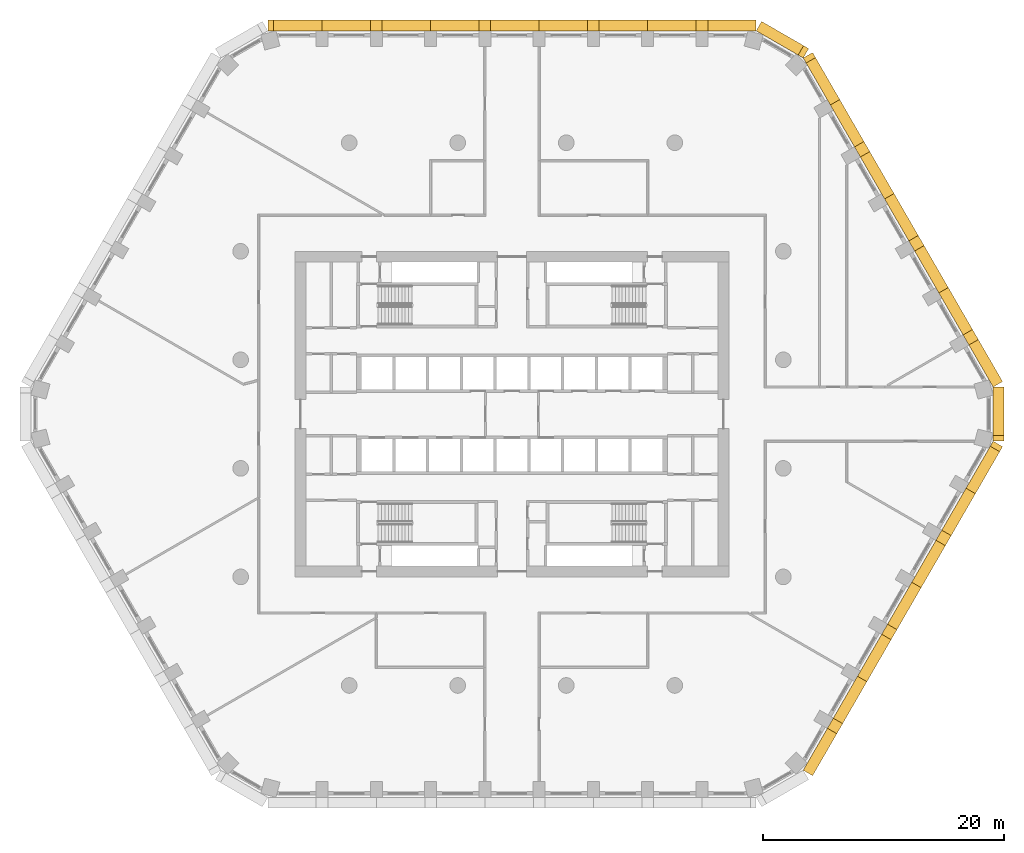
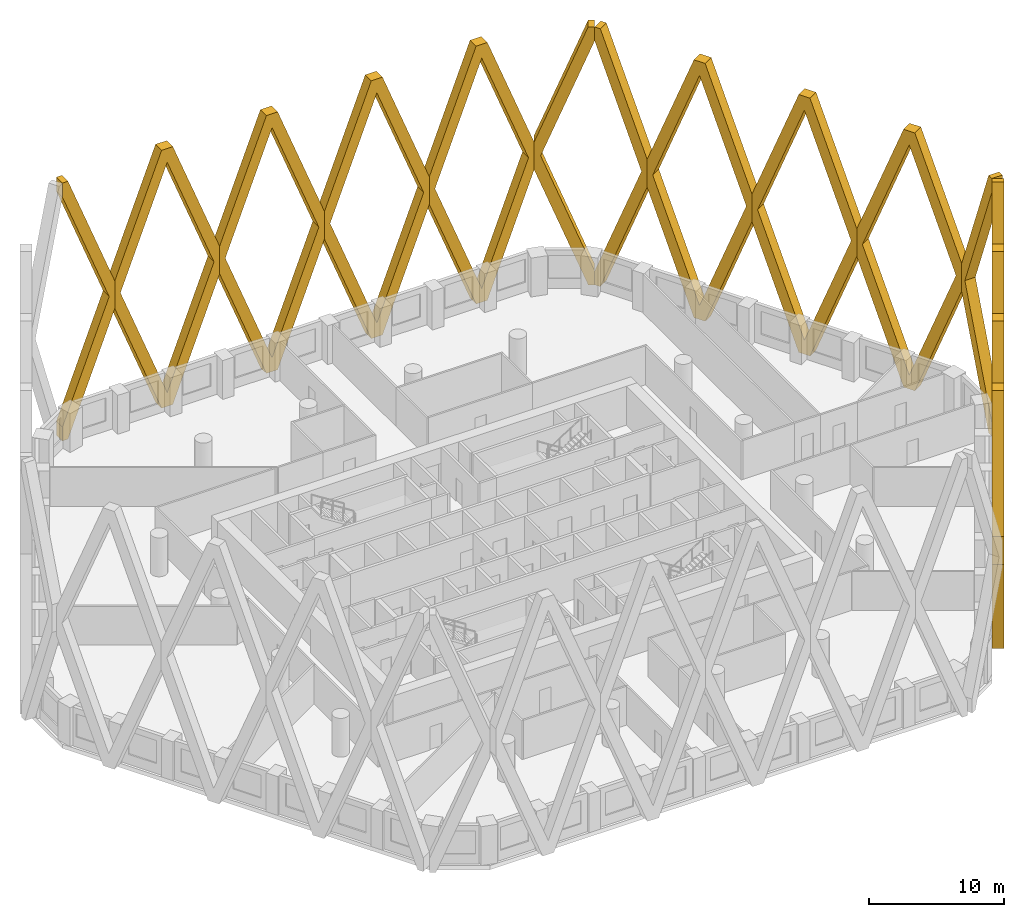
# One storey, part 18 of 18: 15 coverings.
"""IFC4 building model written with IfcOpenShell, lengths in metres."""

from ifc_helpers import new_model, si_unit, direction, frame, origin, place, context, subcontext, project, spatial, polyline, outline, extrude, material, type_object, element, save


model = new_model("IFC4")

# Units and contexts
model_context = context("Model", 3, precision=1e-05, world=origin(), true_north=direction((0.0, 1.0)))
body_context = subcontext(model_context, "Body", "Model", "MODEL_VIEW")
ifc_project = project(units=[si_unit("LENGTHUNIT", "METRE"), si_unit("AREAUNIT", "SQUARE_METRE"), si_unit("VOLUMEUNIT", "CUBIC_METRE"), si_unit("PLANEANGLEUNIT", "RADIAN"), si_unit("MASSUNIT", "GRAM", prefix="KILO")], contexts=[model_context])

# Site, building, storey
site_placement = place(None, origin())
site = spatial("IfcSite", under=ifc_project, at=site_placement, CompositionType="ELEMENT")
building_placement = place(site_placement, origin())
building = spatial("IfcBuilding", under=site, at=building_placement, Name="Dhurran Vertical Campus", CompositionType="ELEMENT")
storey_placement = place(building_placement, frame((0.0, 0.0, 81.300048828125)))
storey = spatial("IfcBuildingStorey", under=building, at=storey_placement, Name="L19", CompositionType="ELEMENT", Elevation=81.300048828125)

# Coverings
ifc_material = material(Name="Precast concrete C50/60", Category="concrete")
covering_type = type_object("IfcCoveringType", Name="Folded precast fin lattice diamond", PredefinedType="USERDEFINED", material=ifc_material)
for number, where, z_axis, x_axis, name in (
    (1, (24.147216796875, -29.52978515625, 0.0), (0.866013897511, -0.50001992892, 0.0), (0.50001992892, 0.866013897511, 0.0), "FN1 L19.007"),
    (2, (28.647216796875, -21.735595703125, 0.0), (0.866013897511, -0.50001992892, 0.0), (0.50001992892, 0.866013897511, 0.0), "FN1 L19.008"),
    (3, (33.147216796875, -13.94140625, 0.0), (0.866013897511, -0.50001992892, 0.0), (0.50001992892, 0.866013897511, 0.0), "FN1 L19.009"),
):
    element("IfcCovering", number, at=place(storey_placement, frame(where, z_axis=z_axis, x_axis=x_axis)), inside=storey, type_object=covering_type, Name=name, ObjectType="FIN", PredefinedType="USERDEFINED", context=body_context, shape_type="SweptSolid", body=[
        extrude(outline(polyline([(9.0, 12.95361328125), (9.0, 10.4462890625), (4.982177734375, 0.0), (4.017822265625, 0.0), (0.0, 10.4462890625), (0.0, 12.95361328125), (4.017822265625, 23.39990234375), (4.982177734375, 23.39990234375), (9.0, 12.95361328125)]), holes=[polyline([(8.517822265625, 11.699951171875), (4.5, 22.146484375), (0.482177734375, 11.699951171875), (4.5, 1.253662109375), (8.517822265625, 11.699951171875)])]), origin(), (0.0, 0.0, 1.0), 0.89990234375),
    ])
covering_1_placement = place(storey_placement, frame((37.647216796875, -6.147216796875, 0.0), z_axis=(0.866013897511, -0.50001992892, 0.0), x_axis=(0.50001992892, 0.866013897511, 0.0)))
element("IfcCovering", 4, at=covering_1_placement, inside=storey, type_object=covering_type, Name="FN1 L19.010", ObjectType="FIN", PredefinedType="USERDEFINED", context=body_context, shape_type="SweptSolid", body=[
    extrude(outline(polyline([(4.017822265625, 0.0), (0.0, 10.4462890625), (0.0, 12.95361328125), (4.017822265625, 23.39990234375), (4.5, 23.39990234375), (4.5, 22.146484375), (0.482177734375, 11.699951171875), (4.5, 1.253662109375), (4.5, 0.0), (4.017822265625, 0.0)])), origin(), (0.0, 0.0, 1.0), 0.89990234375),
])
covering_2_placement = place(storey_placement, frame((39.897216796875, -2.25, 0.0), z_axis=(1.0, 0.0, 0.0), x_axis=(0.0, 1.0, 0.0)))
element("IfcCovering", 5, at=covering_2_placement, inside=storey, type_object=covering_type, Name="FN1 L19.011", ObjectType="FIN", PredefinedType="USERDEFINED", context=body_context, shape_type="SweptSolid", body=[
    extrude(outline(polyline([(4.5, 10.4462890625), (0.482177734375, 0.0), (0.0, 0.0), (0.0, 1.253662109375), (4.017822265625, 11.699951171875), (0.0, 22.146484375), (0.0, 23.39990234375), (0.482177734375, 23.39990234375), (4.5, 12.95361328125), (4.5, 10.4462890625)])), origin(), (0.0, 0.0, 1.0), 0.89990234375),
])
for number, where, z_axis, x_axis, name in (
    (6, (39.897216796875, 2.25, 0.0), (0.866013897511, 0.50001992892, 0.0), (-0.50001992892, 0.866013897511, 0.0), "FN1 L19.012"),
    (7, (35.397216796875, 10.044189453125, 0.0), (0.866013897511, 0.50001992892, 0.0), (-0.50001992892, 0.866013897511, 0.0), "FN1 L19.013"),
    (8, (30.897216796875, 17.83837890625, 0.0), (0.865896406789, 0.500223362819, 0.0), (-0.500223362819, 0.865896406789, 0.0), "FN1 L19.014"),
):
    element("IfcCovering", number, at=place(storey_placement, frame(where, z_axis=z_axis, x_axis=x_axis)), inside=storey, type_object=covering_type, Name=name, ObjectType="FIN", PredefinedType="USERDEFINED", context=body_context, shape_type="SweptSolid", body=[
        extrude(outline(polyline([(9.0, 12.95361328125), (9.0, 10.4462890625), (4.982177734375, 0.0), (4.017822265625, 0.0), (0.0, 10.4462890625), (0.0, 12.95361328125), (4.017822265625, 23.39990234375), (4.982177734375, 23.39990234375), (9.0, 12.95361328125)]), holes=[polyline([(8.517822265625, 11.699951171875), (4.5, 22.146484375), (0.482177734375, 11.699951171875), (4.5, 1.253662109375), (8.517822265625, 11.699951171875)])]), origin(), (0.0, 0.0, 1.0), 0.89990234375),
    ])
covering_3_placement = place(storey_placement, frame((26.397216796875, 25.6328125, 0.0), z_axis=(0.866013897511, 0.50001992892, 0.0), x_axis=(-0.50001992892, 0.866013897511, 0.0)))
element("IfcCovering", 9, at=covering_3_placement, inside=storey, type_object=covering_type, Name="FN1 L19.015", ObjectType="FIN", PredefinedType="USERDEFINED", context=body_context, shape_type="SweptSolid", body=[
    extrude(outline(polyline([(4.017822265625, 0.0), (0.0, 10.4462890625), (0.0, 12.95361328125), (4.017822265625, 23.39990234375), (4.5, 23.39990234375), (4.5, 22.146484375), (0.482177734375, 11.699951171875), (4.5, 1.253662109375), (4.5, 0.0), (4.017822265625, 0.0)])), origin(), (0.0, 0.0, 1.0), 0.89990234375),
])
covering_4_placement = place(storey_placement, frame((24.147216796875, 29.52978515625, 0.0), z_axis=(0.50001992892, 0.866013897511, 0.0), x_axis=(-0.866013897511, 0.50001992892, 0.0)))
element("IfcCovering", 10, at=covering_4_placement, inside=storey, type_object=covering_type, Name="FN1 L19.016", ObjectType="FIN", PredefinedType="USERDEFINED", context=body_context, shape_type="SweptSolid", body=[
    extrude(outline(polyline([(4.5, 10.4462890625), (0.482177734375, 0.0), (0.0, 0.0), (0.0, 1.253662109375), (4.017822265625, 11.699951171875), (0.0, 22.146484375), (0.0, 23.39990234375), (0.482177734375, 23.39990234375), (4.5, 12.95361328125), (4.5, 10.4462890625)])), origin(), (0.0, 0.0, 1.0), 0.89990234375),
])
for number, where, z_axis, x_axis, name in (
    (11, (20.25, 31.77978515625, 0.0), (0.0, 1.0, 0.0), (-1.0, 0.0, 0.0), "FN1 L19.017"),
    (12, (11.25, 31.77978515625, 0.0), (0.0, 1.0, 0.0), (-1.0, 0.0, 0.0), "FN1 L19.018"),
    (13, (2.25, 31.77978515625, 0.0), (0.0, 1.0, 0.0), (-1.0, 0.0, 0.0), "FN1 L19.019"),
    (14, (-6.75, 31.77978515625, 0.0), (0.0, 1.0, 0.0), (-1.0, 0.0, 0.0), "FN1 L19.020"),
):
    element("IfcCovering", number, at=place(storey_placement, frame(where, z_axis=z_axis, x_axis=x_axis)), inside=storey, type_object=covering_type, Name=name, ObjectType="FIN", PredefinedType="USERDEFINED", context=body_context, shape_type="SweptSolid", body=[
        extrude(outline(polyline([(9.0, 12.95361328125), (9.0, 10.4462890625), (4.982177734375, 0.0), (4.017822265625, 0.0), (0.0, 10.4462890625), (0.0, 12.95361328125), (4.017822265625, 23.39990234375), (4.982177734375, 23.39990234375), (9.0, 12.95361328125)]), holes=[polyline([(8.517822265625, 11.699951171875), (4.5, 22.146484375), (0.482177734375, 11.699951171875), (4.5, 1.253662109375), (8.517822265625, 11.699951171875)])]), origin(), (0.0, 0.0, 1.0), 0.89990234375),
    ])
covering_5_placement = place(storey_placement, frame((-15.75, 31.77978515625, 0.0), z_axis=(0.0, 1.0, 0.0), x_axis=(-1.0, 0.0, 0.0)))
element("IfcCovering", 15, at=covering_5_placement, inside=storey, type_object=covering_type, Name="FN1 L19.021", ObjectType="FIN", PredefinedType="USERDEFINED", context=body_context, shape_type="SweptSolid", body=[
    extrude(outline(polyline([(4.017822265625, 0.0), (0.0, 10.4462890625), (0.0, 12.95361328125), (4.017822265625, 23.39990234375), (4.5, 23.39990234375), (4.5, 22.146484375), (0.482177734375, 11.699951171875), (4.5, 1.253662109375), (4.5, 0.0), (4.017822265625, 0.0)])), origin(), (0.0, 0.0, 1.0), 0.89990234375),
])

save(model, "model.ifc")
